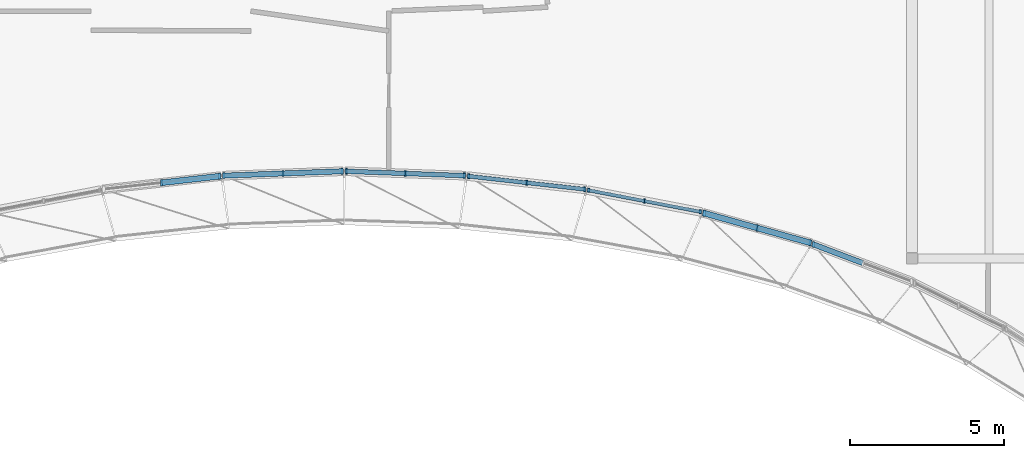
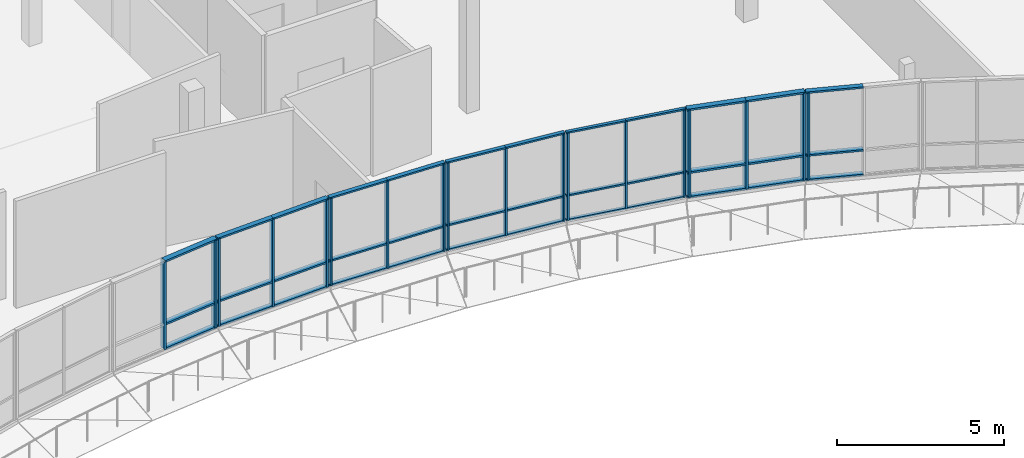
# One storey, part 23 of 73: 54 members, 7 elements without a shape of their own.
"""IFC4 building model written with IfcOpenShell, lengths in metres."""

from ifc_helpers import new_model, si_unit, direction, frame, origin, origin_2d, place, context, subcontext, project, spatial, rectangle, extrude, material, material_profile, profile_set, type_object, element, aggregate, save


model = new_model("IFC4")

# Units and contexts
model_context = context("Model", 3, precision=1e-05, world=origin(), true_north=direction((0.0, 1.0)))
body_context = subcontext(model_context, "Body", "Model", "MODEL_VIEW")
ifc_project = project(units=[si_unit("LENGTHUNIT", "METRE"), si_unit("AREAUNIT", "SQUARE_METRE"), si_unit("VOLUMEUNIT", "CUBIC_METRE"), si_unit("PLANEANGLEUNIT", "RADIAN"), si_unit("MASSUNIT", "GRAM", prefix="KILO")], contexts=[model_context])

# Site, building, storey
site_placement = place(None, origin())
site = spatial("IfcSite", under=ifc_project, at=site_placement, CompositionType="ELEMENT")
building_placement = place(site_placement, origin())
building = spatial("IfcBuilding", under=site, at=building_placement, Name="Mzevani Central Library", CompositionType="ELEMENT")
storey_placement = place(building_placement, frame((0.0, 0.0, 9.60009765625)))
storey = spatial("IfcBuildingStorey", under=building, at=storey_placement, Name="L02", CompositionType="ELEMENT", Elevation=9.60009765625)

# Curtain wall, members
ifc_material_1 = material(Name="Thermally broken aluminium and Low-E triple glazing", Category="aluminium")
curtain_wall_type_1 = type_object("IfcCurtainWallType", Name="Reading Hall Northlight Curtain Wall", PredefinedType="NOTDEFINED", material=ifc_material_1)
curtain_wall_1_placement = place(storey_placement, origin())
curtain_wall_1 = element("IfcCurtainWall", 1, at=curtain_wall_1_placement, inside=storey, type_object=curtain_wall_type_1, Name="L02 Elliptical Court Curtain Wall 10", PredefinedType="NOTDEFINED")
ifc_material_2 = material(Name="Thermally broken aluminium AW-6060", Category="aluminium")
ifc_material_profile_1 = material_profile(ifc_material_2, rectangle(XDim=0.06005859375, YDim=0.139892578125, at=origin_2d()), Name="ALU M60x140")
ifc_profile_set_1 = profile_set([ifc_material_profile_1], Name="Thermally broken aluminium AW-6060")
member_type_1 = type_object("IfcMemberType", Name="CW Mullion 60x140", PredefinedType="MULLION", material=ifc_profile_set_1)
member_1_placement = place(storey_placement, frame((95.54443359375, 91.91552734375, 0.719970703125), z_axis=(0.0, 0.0, 1.0), x_axis=(1.0, 0.0, 0.0)))
member_1 = element("IfcMember", 2, at=member_1_placement, type_object=member_type_1, Name="L02 Elliptical Court Curtain Wall 10 Mullion 1", PredefinedType="MULLION", context=body_context, shape_type="SweptSolid", body=[
    extrude(rectangle(XDim=0.06005859375, YDim=0.139892578125, at=origin_2d()), origin(), (0.0, 0.0, 1.0), 3.199951171875),
])
member_2_placement = place(storey_placement, frame((93.735595703125, 92.263671875, 0.719970703125), z_axis=(0.0, 0.0, 1.0), x_axis=(1.0, 0.0, 0.0)))
member_2 = element("IfcMember", 3, at=member_2_placement, type_object=member_type_1, Name="L02 Elliptical Court Curtain Wall 10 Mullion 2", PredefinedType="MULLION", context=body_context, shape_type="SweptSolid", body=[
    extrude(rectangle(XDim=0.06005859375, YDim=0.139892578125, at=origin_2d()), origin(), (0.0, 0.0, 1.0), 3.199951171875),
])
member_3_placement = place(storey_placement, frame((91.9267578125, 92.612060546875, 0.719970703125), z_axis=(0.0, 0.0, 1.0), x_axis=(1.0, 0.0, 0.0)))
member_3 = element("IfcMember", 4, at=member_3_placement, type_object=member_type_1, Name="L02 Elliptical Court Curtain Wall 10 Mullion 3", PredefinedType="MULLION", context=body_context, shape_type="SweptSolid", body=[
    extrude(rectangle(XDim=0.06005859375, YDim=0.139892578125, at=origin_2d()), origin(), (0.0, 0.0, 1.0), 3.199951171875),
])

curtain_wall_type_2 = type_object("IfcCurtainWallType", Name="Elliptical Court Unitised Curtain Wall", PredefinedType="NOTDEFINED", material=ifc_material_1)
curtain_wall_2_placement = place(storey_placement, origin())
curtain_wall_2 = element("IfcCurtainWall", 5, at=curtain_wall_2_placement, inside=storey, type_object=curtain_wall_type_2, Name="L02 Elliptical Court Curtain Wall 11", PredefinedType="NOTDEFINED")
ifc_material_profile_2 = material_profile(ifc_material_2, rectangle(XDim=0.06005859375, YDim=0.159912109375, at=origin_2d()), Name="ALU M60x160")
ifc_profile_set_2 = profile_set([ifc_material_profile_2], Name="Thermally broken aluminium AW-6060")
member_type_2 = type_object("IfcMemberType", Name="CW Mullion 60x160", PredefinedType="MULLION", material=ifc_profile_set_2)
member_4_placement = place(storey_placement, frame((91.787841796875, 92.645751953125, 0.719970703125), z_axis=(0.0, 0.0, 1.0), x_axis=(1.0, 0.0, 0.0)))
member_4 = element("IfcMember", 6, at=member_4_placement, type_object=member_type_2, Name="L02 Elliptical Court Curtain Wall 11 Mullion 1", PredefinedType="MULLION", context=body_context, shape_type="SweptSolid", body=[
    extrude(rectangle(XDim=0.06005859375, YDim=0.159912109375, at=origin_2d()), origin(), (0.0, 0.0, 1.0), 3.199951171875),
])
member_5_placement = place(storey_placement, frame((89.9130859375, 92.857421875, 0.719970703125), z_axis=(0.0, 0.0, 1.0), x_axis=(1.0, 0.0, 0.0)))
member_5 = element("IfcMember", 7, at=member_5_placement, type_object=member_type_2, Name="L02 Elliptical Court Curtain Wall 11 Mullion 2", PredefinedType="MULLION", context=body_context, shape_type="SweptSolid", body=[
    extrude(rectangle(XDim=0.06005859375, YDim=0.159912109375, at=origin_2d()), origin(), (0.0, 0.0, 1.0), 3.199951171875),
])
member_6_placement = place(storey_placement, frame((88.038330078125, 93.06884765625, 0.719970703125), z_axis=(0.0, 0.0, 1.0), x_axis=(1.0, 0.0, 0.0)))
member_6 = element("IfcMember", 8, at=member_6_placement, type_object=member_type_2, Name="L02 Elliptical Court Curtain Wall 11 Mullion 3", PredefinedType="MULLION", context=body_context, shape_type="SweptSolid", body=[
    extrude(rectangle(XDim=0.06005859375, YDim=0.159912109375, at=origin_2d()), origin(), (0.0, 0.0, 1.0), 3.199951171875),
])

curtain_wall_3_placement = place(storey_placement, origin())
curtain_wall_3 = element("IfcCurtainWall", 9, at=curtain_wall_3_placement, inside=storey, type_object=curtain_wall_type_2, Name="L02 Elliptical Court Curtain Wall 12", PredefinedType="NOTDEFINED")
ifc_material_profile_3 = material_profile(ifc_material_2, rectangle(XDim=0.06005859375, YDim=0.179931640625, at=origin_2d()), Name="ALU M60x180")
ifc_profile_set_3 = profile_set([ifc_material_profile_3], Name="Thermally broken aluminium AW-6060")
member_type_3 = type_object("IfcMemberType", Name="CW Mullion 60x180", PredefinedType="MULLION", material=ifc_profile_set_3)
member_7_placement = place(storey_placement, frame((87.89111328125, 93.087158203125, 0.719970703125), z_axis=(0.0, 0.0, 1.0), x_axis=(1.0, 0.0, 0.0)))
member_7 = element("IfcMember", 10, at=member_7_placement, type_object=member_type_3, Name="L02 Elliptical Court Curtain Wall 12 Mullion 1", PredefinedType="MULLION", context=body_context, shape_type="SweptSolid", body=[
    extrude(rectangle(XDim=0.06005859375, YDim=0.179931640625, at=origin_2d()), origin(), (0.0, 0.0, 1.0), 3.199951171875),
])
member_8_placement = place(storey_placement, frame((85.983154296875, 93.158203125, 0.719970703125), z_axis=(0.0, 0.0, 1.0), x_axis=(1.0, 0.0, 0.0)))
member_8 = element("IfcMember", 11, at=member_8_placement, type_object=member_type_3, Name="L02 Elliptical Court Curtain Wall 12 Mullion 2", PredefinedType="MULLION", context=body_context, shape_type="SweptSolid", body=[
    extrude(rectangle(XDim=0.06005859375, YDim=0.179931640625, at=origin_2d()), origin(), (0.0, 0.0, 1.0), 3.199951171875),
])
member_9_placement = place(storey_placement, frame((84.0751953125, 93.22900390625, 0.719970703125), z_axis=(0.0, 0.0, 1.0), x_axis=(1.0, 0.0, 0.0)))
member_9 = element("IfcMember", 12, at=member_9_placement, type_object=member_type_3, Name="L02 Elliptical Court Curtain Wall 12 Mullion 3", PredefinedType="MULLION", context=body_context, shape_type="SweptSolid", body=[
    extrude(rectangle(XDim=0.06005859375, YDim=0.179931640625, at=origin_2d()), origin(), (0.0, 0.0, 1.0), 3.199951171875),
])

# Curtain wall, member
curtain_wall_4_placement = place(storey_placement, origin())
curtain_wall_4 = element("IfcCurtainWall", 13, at=curtain_wall_4_placement, inside=storey, type_object=curtain_wall_type_2, Name="L02 Elliptical Court Curtain Wall 8", PredefinedType="NOTDEFINED")
ifc_material_profile_4 = material_profile(ifc_material_2, rectangle(XDim=0.06494140625, YDim=0.199951171875, at=origin_2d()), Name="ALU M65x200")
ifc_profile_set_4 = profile_set([ifc_material_profile_4], Name="Thermally broken aluminium AW-6060")
member_type_4 = type_object("IfcMemberType", Name="CW Mullion 65x200", PredefinedType="MULLION", material=ifc_profile_set_4)
member_10_placement = place(storey_placement, frame((99.21435546875, 90.857666015625, 0.719970703125), z_axis=(0.0, 0.0, 1.0), x_axis=(1.0, 0.0, 0.0)))
member_10 = element("IfcMember", 14, at=member_10_placement, type_object=member_type_4, Name="L02 Elliptical Court Curtain Wall 8 Mullion 3", PredefinedType="MULLION", context=body_context, shape_type="SweptSolid", body=[
    extrude(rectangle(XDim=0.06494140625, YDim=0.199951171875, at=origin_2d()), origin(), (0.0, 0.0, 1.0), 3.199951171875),
])

# Curtain wall, members
curtain_wall_5_placement = place(storey_placement, origin())
curtain_wall_5 = element("IfcCurtainWall", 15, at=curtain_wall_5_placement, inside=storey, type_object=curtain_wall_type_1, Name="L02 Elliptical Court Curtain Wall 13", PredefinedType="NOTDEFINED")
member_11_placement = place(storey_placement, frame((83.9248046875, 93.22900390625, 0.719970703125), z_axis=(0.0, 0.0, 1.0), x_axis=(1.0, 0.0, 0.0)))
member_11 = element("IfcMember", 16, at=member_11_placement, type_object=member_type_4, Name="L02 Elliptical Court Curtain Wall 13 Mullion 1", PredefinedType="MULLION", context=body_context, shape_type="SweptSolid", body=[
    extrude(rectangle(XDim=0.06494140625, YDim=0.199951171875, at=origin_2d()), origin(), (0.0, 0.0, 1.0), 3.199951171875),
])
member_12_placement = place(storey_placement, frame((82.016845703125, 93.158203125, 0.719970703125), z_axis=(0.0, 0.0, 1.0), x_axis=(1.0, 0.0, 0.0)))
member_12 = element("IfcMember", 17, at=member_12_placement, type_object=member_type_4, Name="L02 Elliptical Court Curtain Wall 13 Mullion 2", PredefinedType="MULLION", context=body_context, shape_type="SweptSolid", body=[
    extrude(rectangle(XDim=0.06494140625, YDim=0.199951171875, at=origin_2d()), origin(), (0.0, 0.0, 1.0), 3.199951171875),
])
member_13_placement = place(storey_placement, frame((80.10888671875, 93.087158203125, 0.719970703125), z_axis=(0.0, 0.0, 1.0), x_axis=(1.0, 0.0, 0.0)))
member_13 = element("IfcMember", 18, at=member_13_placement, type_object=member_type_4, Name="L02 Elliptical Court Curtain Wall 13 Mullion 3", PredefinedType="MULLION", context=body_context, shape_type="SweptSolid", body=[
    extrude(rectangle(XDim=0.06494140625, YDim=0.199951171875, at=origin_2d()), origin(), (0.0, 0.0, 1.0), 3.199951171875),
])

curtain_wall_6_placement = place(storey_placement, origin())
curtain_wall_6 = element("IfcCurtainWall", 19, at=curtain_wall_6_placement, inside=storey, type_object=curtain_wall_type_2, Name="L02 Elliptical Court Curtain Wall 9", PredefinedType="NOTDEFINED")
ifc_material_profile_5 = material_profile(ifc_material_2, rectangle(XDim=0.070068359375, YDim=0.219970703125, at=origin_2d()), Name="ALU M70x220")
ifc_profile_set_5 = profile_set([ifc_material_profile_5], Name="Thermally broken aluminium AW-6060")
member_type_5 = type_object("IfcMemberType", Name="CW Mullion 70x220", PredefinedType="MULLION", material=ifc_profile_set_5)
member_14_placement = place(storey_placement, frame((99.09619140625, 90.91259765625, 0.719970703125), z_axis=(0.0, 0.0, 1.0), x_axis=(1.0, 0.0, 0.0)))
member_14 = element("IfcMember", 20, at=member_14_placement, type_object=member_type_5, Name="L02 Elliptical Court Curtain Wall 9 Mullion 1", PredefinedType="MULLION", context=body_context, shape_type="SweptSolid", body=[
    extrude(rectangle(XDim=0.070068359375, YDim=0.219970703125, at=origin_2d()), origin(), (0.0, 0.0, 1.0), 3.199951171875),
])
member_15_placement = place(storey_placement, frame((97.384765625, 91.39111328125, 0.719970703125), z_axis=(0.0, 0.0, 1.0), x_axis=(1.0, 0.0, 0.0)))
member_15 = element("IfcMember", 21, at=member_15_placement, type_object=member_type_5, Name="L02 Elliptical Court Curtain Wall 9 Mullion 2", PredefinedType="MULLION", context=body_context, shape_type="SweptSolid", body=[
    extrude(rectangle(XDim=0.070068359375, YDim=0.219970703125, at=origin_2d()), origin(), (0.0, 0.0, 1.0), 3.199951171875),
])
member_16_placement = place(storey_placement, frame((95.673095703125, 91.869873046875, 0.719970703125), z_axis=(0.0, 0.0, 1.0), x_axis=(1.0, 0.0, 0.0)))
member_16 = element("IfcMember", 22, at=member_16_placement, type_object=member_type_5, Name="L02 Elliptical Court Curtain Wall 9 Mullion 3", PredefinedType="MULLION", context=body_context, shape_type="SweptSolid", body=[
    extrude(rectangle(XDim=0.070068359375, YDim=0.219970703125, at=origin_2d()), origin(), (0.0, 0.0, 1.0), 3.199951171875),
])

curtain_wall_7_placement = place(storey_placement, origin())
curtain_wall_7 = element("IfcCurtainWall", 23, at=curtain_wall_7_placement, inside=storey, type_object=curtain_wall_type_2, Name="L02 Elliptical Court Curtain Wall 14", PredefinedType="NOTDEFINED")
member_17_placement = place(storey_placement, frame((79.961669921875, 93.06884765625, 0.719970703125), z_axis=(0.0, 0.0, 1.0), x_axis=(1.0, 0.0, 0.0)))
member_17 = element("IfcMember", 24, at=member_17_placement, type_object=member_type_5, Name="L02 Elliptical Court Curtain Wall 14 Mullion 1", PredefinedType="MULLION", context=body_context, shape_type="SweptSolid", body=[
    extrude(rectangle(XDim=0.070068359375, YDim=0.219970703125, at=origin_2d()), origin(), (0.0, 0.0, 1.0), 3.199951171875),
])
member_18_placement = place(storey_placement, frame((78.0869140625, 92.857421875, 0.719970703125), z_axis=(0.0, 0.0, 1.0), x_axis=(1.0, 0.0, 0.0)))
member_18 = element("IfcMember", 25, at=member_18_placement, type_object=member_type_5, Name="L02 Elliptical Court Curtain Wall 14 Mullion 2", PredefinedType="MULLION", context=body_context, shape_type="SweptSolid", body=[
    extrude(rectangle(XDim=0.070068359375, YDim=0.219970703125, at=origin_2d()), origin(), (0.0, 0.0, 1.0), 3.199951171875),
])

# Member
ifc_material_profile_6 = material_profile(ifc_material_2, rectangle(XDim=0.110107421875, YDim=0.06005859375, at=origin_2d()), Name="ALU T60x110")
ifc_profile_set_6 = profile_set([ifc_material_profile_6], Name="Thermally broken aluminium AW-6060")
member_type_6 = type_object("IfcMemberType", Name="CW Transom 60x110", PredefinedType="USERDEFINED", material=ifc_profile_set_6)
member_19_placement = place(storey_placement, frame((95.593505859375, 91.906005859375, 0.719970703125), z_axis=(-0.981969613273, 0.189038828311, 0.0), x_axis=(-0.189038828311, -0.981969613273, 0.0)))
member_19 = element("IfcMember", 26, at=member_19_placement, type_object=member_type_6, Name="L02 Elliptical Court Curtain Wall 10 Transom 1", ObjectType="TRANSOM", PredefinedType="USERDEFINED", context=body_context, shape_type="SweptSolid", body=[
    extrude(rectangle(XDim=0.110107421875, YDim=0.06005859375, at=origin_2d()), origin(), (0.0, 0.0, 1.0), 1.89208984375),
])

member_20_placement = place(storey_placement, frame((95.593505859375, 91.906005859375, 1.619873046875), z_axis=(-0.981969613273, 0.189038828311, 0.0), x_axis=(-0.189038828311, -0.981969613273, 0.0)))
member_20 = element("IfcMember", 27, at=member_20_placement, type_object=member_type_6, Name="L02 Elliptical Court Curtain Wall 10 Transom 2", ObjectType="TRANSOM", PredefinedType="USERDEFINED", context=body_context, shape_type="SweptSolid", body=[
    extrude(rectangle(XDim=0.110107421875, YDim=0.06005859375, at=origin_2d()), origin(), (0.0, 0.0, 1.0), 1.89208984375),
])

member_21_placement = place(storey_placement, frame((95.593505859375, 91.906005859375, 3.919921875), z_axis=(-0.981969613273, 0.189038828311, 0.0), x_axis=(-0.189038828311, -0.981969613273, 0.0)))
member_21 = element("IfcMember", 28, at=member_21_placement, type_object=member_type_6, Name="L02 Elliptical Court Curtain Wall 10 Transom 3", ObjectType="TRANSOM", PredefinedType="USERDEFINED", context=body_context, shape_type="SweptSolid", body=[
    extrude(rectangle(XDim=0.110107421875, YDim=0.06005859375, at=origin_2d()), origin(), (0.0, 0.0, 1.0), 1.89208984375),
])

member_22_placement = place(storey_placement, frame((93.735595703125, 92.263671875, 0.719970703125), z_axis=(-0.981969613273, 0.189038828311, 0.0), x_axis=(-0.189038828311, -0.981969613273, 0.0)))
member_22 = element("IfcMember", 29, at=member_22_placement, type_object=member_type_6, Name="L02 Elliptical Court Curtain Wall 10 Transom 4", ObjectType="TRANSOM", PredefinedType="USERDEFINED", context=body_context, shape_type="SweptSolid", body=[
    extrude(rectangle(XDim=0.110107421875, YDim=0.06005859375, at=origin_2d()), origin(), (0.0, 0.0, 1.0), 1.89208984375),
])

member_23_placement = place(storey_placement, frame((93.735595703125, 92.263671875, 1.619873046875), z_axis=(-0.981969613273, 0.189038828311, 0.0), x_axis=(-0.189038828311, -0.981969613273, 0.0)))
member_23 = element("IfcMember", 30, at=member_23_placement, type_object=member_type_6, Name="L02 Elliptical Court Curtain Wall 10 Transom 5", ObjectType="TRANSOM", PredefinedType="USERDEFINED", context=body_context, shape_type="SweptSolid", body=[
    extrude(rectangle(XDim=0.110107421875, YDim=0.06005859375, at=origin_2d()), origin(), (0.0, 0.0, 1.0), 1.89208984375),
])

member_24_placement = place(storey_placement, frame((93.735595703125, 92.263671875, 3.919921875), z_axis=(-0.981969613273, 0.189038828311, 0.0), x_axis=(-0.189038828311, -0.981969613273, 0.0)))
member_24 = element("IfcMember", 31, at=member_24_placement, type_object=member_type_6, Name="L02 Elliptical Court Curtain Wall 10 Transom 6", ObjectType="TRANSOM", PredefinedType="USERDEFINED", context=body_context, shape_type="SweptSolid", body=[
    extrude(rectangle(XDim=0.110107421875, YDim=0.06005859375, at=origin_2d()), origin(), (0.0, 0.0, 1.0), 1.89208984375),
])

aggregate(curtain_wall_1, [member_1, member_2, member_3, member_19, member_20, member_21, member_22, member_23, member_24])

ifc_material_profile_7 = material_profile(ifc_material_2, rectangle(XDim=0.1298828125, YDim=0.06005859375, at=origin_2d()), Name="ALU T60x130")
ifc_profile_set_7 = profile_set([ifc_material_profile_7], Name="Thermally broken aluminium AW-6060")
member_type_7 = type_object("IfcMemberType", Name="CW Transom 60x130", PredefinedType="USERDEFINED", material=ifc_profile_set_7)
member_25_placement = place(storey_placement, frame((91.83740234375, 92.64013671875, 0.719970703125), z_axis=(-0.993685364048, 0.11220248338, 0.0), x_axis=(-0.11220248338, -0.993685364048, 0.0)))
member_25 = element("IfcMember", 32, at=member_25_placement, type_object=member_type_7, Name="L02 Elliptical Court Curtain Wall 11 Transom 1", ObjectType="TRANSOM", PredefinedType="USERDEFINED", context=body_context, shape_type="SweptSolid", body=[
    extrude(rectangle(XDim=0.1298828125, YDim=0.06005859375, at=origin_2d()), origin(), (0.0, 0.0, 1.0), 1.9365234375),
])

member_26_placement = place(storey_placement, frame((91.83740234375, 92.64013671875, 1.619873046875), z_axis=(-0.993685364048, 0.11220248338, 0.0), x_axis=(-0.11220248338, -0.993685364048, 0.0)))
member_26 = element("IfcMember", 33, at=member_26_placement, type_object=member_type_7, Name="L02 Elliptical Court Curtain Wall 11 Transom 2", ObjectType="TRANSOM", PredefinedType="USERDEFINED", context=body_context, shape_type="SweptSolid", body=[
    extrude(rectangle(XDim=0.1298828125, YDim=0.06005859375, at=origin_2d()), origin(), (0.0, 0.0, 1.0), 1.9365234375),
])

member_27_placement = place(storey_placement, frame((91.83740234375, 92.64013671875, 3.919921875), z_axis=(-0.993685364048, 0.11220248338, 0.0), x_axis=(-0.11220248338, -0.993685364048, 0.0)))
member_27 = element("IfcMember", 34, at=member_27_placement, type_object=member_type_7, Name="L02 Elliptical Court Curtain Wall 11 Transom 3", ObjectType="TRANSOM", PredefinedType="USERDEFINED", context=body_context, shape_type="SweptSolid", body=[
    extrude(rectangle(XDim=0.1298828125, YDim=0.06005859375, at=origin_2d()), origin(), (0.0, 0.0, 1.0), 1.9365234375),
])

member_28_placement = place(storey_placement, frame((89.9130859375, 92.857421875, 0.719970703125), z_axis=(-0.993700995869, 0.11206395856, 0.0), x_axis=(-0.11206395856, -0.993700995869, 0.0)))
member_28 = element("IfcMember", 35, at=member_28_placement, type_object=member_type_7, Name="L02 Elliptical Court Curtain Wall 11 Transom 4", ObjectType="TRANSOM", PredefinedType="USERDEFINED", context=body_context, shape_type="SweptSolid", body=[
    extrude(rectangle(XDim=0.1298828125, YDim=0.06005859375, at=origin_2d()), origin(), (0.0, 0.0, 1.0), 1.936767578125),
])

member_29_placement = place(storey_placement, frame((89.9130859375, 92.857421875, 1.619873046875), z_axis=(-0.993700995869, 0.11206395856, 0.0), x_axis=(-0.11206395856, -0.993700995869, 0.0)))
member_29 = element("IfcMember", 36, at=member_29_placement, type_object=member_type_7, Name="L02 Elliptical Court Curtain Wall 11 Transom 5", ObjectType="TRANSOM", PredefinedType="USERDEFINED", context=body_context, shape_type="SweptSolid", body=[
    extrude(rectangle(XDim=0.1298828125, YDim=0.06005859375, at=origin_2d()), origin(), (0.0, 0.0, 1.0), 1.936767578125),
])

member_30_placement = place(storey_placement, frame((89.9130859375, 92.857421875, 3.919921875), z_axis=(-0.993700995869, 0.11206395856, 0.0), x_axis=(-0.11206395856, -0.993700995869, 0.0)))
member_30 = element("IfcMember", 37, at=member_30_placement, type_object=member_type_7, Name="L02 Elliptical Court Curtain Wall 11 Transom 6", ObjectType="TRANSOM", PredefinedType="USERDEFINED", context=body_context, shape_type="SweptSolid", body=[
    extrude(rectangle(XDim=0.1298828125, YDim=0.06005859375, at=origin_2d()), origin(), (0.0, 0.0, 1.0), 1.936767578125),
])

aggregate(curtain_wall_2, [member_4, member_5, member_6, member_25, member_26, member_27, member_28, member_29, member_30])

ifc_material_profile_8 = material_profile(ifc_material_2, rectangle(XDim=0.14990234375, YDim=0.06005859375, at=origin_2d()), Name="ALU T60x150")
ifc_profile_set_8 = profile_set([ifc_material_profile_8], Name="Thermally broken aluminium AW-6060")
member_type_8 = type_object("IfcMemberType", Name="CW Transom 60x150", PredefinedType="USERDEFINED", material=ifc_profile_set_8)
member_31_placement = place(storey_placement, frame((87.94091796875, 93.085205078125, 0.719970703125), z_axis=(-0.999305584511, 0.037260552409, 0.0), x_axis=(-0.037260552409, -0.999305584511, 0.0)))
member_31 = element("IfcMember", 38, at=member_31_placement, type_object=member_type_8, Name="L02 Elliptical Court Curtain Wall 12 Transom 1", ObjectType="TRANSOM", PredefinedType="USERDEFINED", context=body_context, shape_type="SweptSolid", body=[
    extrude(rectangle(XDim=0.14990234375, YDim=0.06005859375, at=origin_2d()), origin(), (0.0, 0.0, 1.0), 1.959228515625),
])

member_32_placement = place(storey_placement, frame((87.94091796875, 93.085205078125, 1.619873046875), z_axis=(-0.999305584511, 0.037260552409, 0.0), x_axis=(-0.037260552409, -0.999305584511, 0.0)))
member_32 = element("IfcMember", 39, at=member_32_placement, type_object=member_type_8, Name="L02 Elliptical Court Curtain Wall 12 Transom 2", ObjectType="TRANSOM", PredefinedType="USERDEFINED", context=body_context, shape_type="SweptSolid", body=[
    extrude(rectangle(XDim=0.14990234375, YDim=0.06005859375, at=origin_2d()), origin(), (0.0, 0.0, 1.0), 1.959228515625),
])

member_33_placement = place(storey_placement, frame((87.94091796875, 93.085205078125, 3.919921875), z_axis=(-0.999305584511, 0.037260552409, 0.0), x_axis=(-0.037260552409, -0.999305584511, 0.0)))
member_33 = element("IfcMember", 40, at=member_33_placement, type_object=member_type_8, Name="L02 Elliptical Court Curtain Wall 12 Transom 3", ObjectType="TRANSOM", PredefinedType="USERDEFINED", context=body_context, shape_type="SweptSolid", body=[
    extrude(rectangle(XDim=0.14990234375, YDim=0.06005859375, at=origin_2d()), origin(), (0.0, 0.0, 1.0), 1.959228515625),
])

member_34_placement = place(storey_placement, frame((85.983154296875, 93.158203125, 0.719970703125), z_axis=(-0.999310216866, 0.037136107323, 0.0), x_axis=(-0.037136107323, -0.999310216866, 0.0)))
member_34 = element("IfcMember", 41, at=member_34_placement, type_object=member_type_8, Name="L02 Elliptical Court Curtain Wall 12 Transom 4", ObjectType="TRANSOM", PredefinedType="USERDEFINED", context=body_context, shape_type="SweptSolid", body=[
    extrude(rectangle(XDim=0.14990234375, YDim=0.06005859375, at=origin_2d()), origin(), (0.0, 0.0, 1.0), 1.959228515625),
])

member_35_placement = place(storey_placement, frame((85.983154296875, 93.158203125, 1.619873046875), z_axis=(-0.999310216866, 0.037136107323, 0.0), x_axis=(-0.037136107323, -0.999310216866, 0.0)))
member_35 = element("IfcMember", 42, at=member_35_placement, type_object=member_type_8, Name="L02 Elliptical Court Curtain Wall 12 Transom 5", ObjectType="TRANSOM", PredefinedType="USERDEFINED", context=body_context, shape_type="SweptSolid", body=[
    extrude(rectangle(XDim=0.14990234375, YDim=0.06005859375, at=origin_2d()), origin(), (0.0, 0.0, 1.0), 1.959228515625),
])

member_36_placement = place(storey_placement, frame((85.983154296875, 93.158203125, 3.919921875), z_axis=(-0.999310216866, 0.037136107323, 0.0), x_axis=(-0.037136107323, -0.999310216866, 0.0)))
member_36 = element("IfcMember", 43, at=member_36_placement, type_object=member_type_8, Name="L02 Elliptical Court Curtain Wall 12 Transom 6", ObjectType="TRANSOM", PredefinedType="USERDEFINED", context=body_context, shape_type="SweptSolid", body=[
    extrude(rectangle(XDim=0.14990234375, YDim=0.06005859375, at=origin_2d()), origin(), (0.0, 0.0, 1.0), 1.959228515625),
])

aggregate(curtain_wall_3, [member_7, member_8, member_9, member_31, member_32, member_33, member_34, member_35, member_36])

ifc_material_profile_9 = material_profile(ifc_material_2, rectangle(XDim=0.169921875, YDim=0.06494140625, at=origin_2d()), Name="ALU T65x170")
ifc_profile_set_9 = profile_set([ifc_material_profile_9], Name="Thermally broken aluminium AW-6060")
member_type_9 = type_object("IfcMemberType", Name="CW Transom 65x170", PredefinedType="USERDEFINED", material=ifc_profile_set_9)
member_37_placement = place(storey_placement, frame((100.799072265625, 90.25732421875, 0.719970703125), z_axis=(-0.93511588963, 0.354342028217, 0.0), x_axis=(-0.354342028217, -0.93511588963, 0.0)))
member_37 = element("IfcMember", 44, at=member_37_placement, type_object=member_type_9, Name="L02 Elliptical Court Curtain Wall 8 Transom 4", ObjectType="TRANSOM", PredefinedType="USERDEFINED", context=body_context, shape_type="SweptSolid", body=[
    extrude(rectangle(XDim=0.169921875, YDim=0.06494140625, at=origin_2d()), origin(), (0.0, 0.0, 1.0), 1.74462890625),
])

member_38_placement = place(storey_placement, frame((100.799072265625, 90.25732421875, 1.619873046875), z_axis=(-0.93511588963, 0.354342028217, 0.0), x_axis=(-0.354342028217, -0.93511588963, 0.0)))
member_38 = element("IfcMember", 45, at=member_38_placement, type_object=member_type_9, Name="L02 Elliptical Court Curtain Wall 8 Transom 5", ObjectType="TRANSOM", PredefinedType="USERDEFINED", context=body_context, shape_type="SweptSolid", body=[
    extrude(rectangle(XDim=0.169921875, YDim=0.06494140625, at=origin_2d()), origin(), (0.0, 0.0, 1.0), 1.74462890625),
])

member_39_placement = place(storey_placement, frame((100.799072265625, 90.25732421875, 3.919921875), z_axis=(-0.93511588963, 0.354342028217, 0.0), x_axis=(-0.354342028217, -0.93511588963, 0.0)))
member_39 = element("IfcMember", 46, at=member_39_placement, type_object=member_type_9, Name="L02 Elliptical Court Curtain Wall 8 Transom 6", ObjectType="TRANSOM", PredefinedType="USERDEFINED", context=body_context, shape_type="SweptSolid", body=[
    extrude(rectangle(XDim=0.169921875, YDim=0.06494140625, at=origin_2d()), origin(), (0.0, 0.0, 1.0), 1.74462890625),
])

aggregate(curtain_wall_4, [member_10, member_37, member_38, member_39])

member_40_placement = place(storey_placement, frame((83.974609375, 93.23095703125, 0.719970703125), z_axis=(-0.999310216866, -0.037136107323, 0.0), x_axis=(0.037136107323, -0.999310216866, 0.0)))
member_40 = element("IfcMember", 47, at=member_40_placement, type_object=member_type_9, Name="L02 Elliptical Court Curtain Wall 13 Transom 1", ObjectType="TRANSOM", PredefinedType="USERDEFINED", context=body_context, shape_type="SweptSolid", body=[
    extrude(rectangle(XDim=0.169921875, YDim=0.06494140625, at=origin_2d()), origin(), (0.0, 0.0, 1.0), 1.959228515625),
])

member_41_placement = place(storey_placement, frame((83.974609375, 93.23095703125, 1.619873046875), z_axis=(-0.999310216866, -0.037136107323, 0.0), x_axis=(0.037136107323, -0.999310216866, 0.0)))
member_41 = element("IfcMember", 48, at=member_41_placement, type_object=member_type_9, Name="L02 Elliptical Court Curtain Wall 13 Transom 2", ObjectType="TRANSOM", PredefinedType="USERDEFINED", context=body_context, shape_type="SweptSolid", body=[
    extrude(rectangle(XDim=0.169921875, YDim=0.06494140625, at=origin_2d()), origin(), (0.0, 0.0, 1.0), 1.959228515625),
])

member_42_placement = place(storey_placement, frame((83.974609375, 93.23095703125, 3.919921875), z_axis=(-0.999310216866, -0.037136107323, 0.0), x_axis=(0.037136107323, -0.999310216866, 0.0)))
member_42 = element("IfcMember", 49, at=member_42_placement, type_object=member_type_9, Name="L02 Elliptical Court Curtain Wall 13 Transom 3", ObjectType="TRANSOM", PredefinedType="USERDEFINED", context=body_context, shape_type="SweptSolid", body=[
    extrude(rectangle(XDim=0.169921875, YDim=0.06494140625, at=origin_2d()), origin(), (0.0, 0.0, 1.0), 1.959228515625),
])

member_43_placement = place(storey_placement, frame((82.016845703125, 93.158203125, 0.719970703125), z_axis=(-0.999305584511, -0.037260552409, 0.0), x_axis=(0.037260552409, -0.999305584511, 0.0)))
member_43 = element("IfcMember", 50, at=member_43_placement, type_object=member_type_9, Name="L02 Elliptical Court Curtain Wall 13 Transom 4", ObjectType="TRANSOM", PredefinedType="USERDEFINED", context=body_context, shape_type="SweptSolid", body=[
    extrude(rectangle(XDim=0.169921875, YDim=0.06494140625, at=origin_2d()), origin(), (0.0, 0.0, 1.0), 1.959228515625),
])

member_44_placement = place(storey_placement, frame((82.016845703125, 93.158203125, 1.619873046875), z_axis=(-0.999305584511, -0.037260552409, 0.0), x_axis=(0.037260552409, -0.999305584511, 0.0)))
member_44 = element("IfcMember", 51, at=member_44_placement, type_object=member_type_9, Name="L02 Elliptical Court Curtain Wall 13 Transom 5", ObjectType="TRANSOM", PredefinedType="USERDEFINED", context=body_context, shape_type="SweptSolid", body=[
    extrude(rectangle(XDim=0.169921875, YDim=0.06494140625, at=origin_2d()), origin(), (0.0, 0.0, 1.0), 1.959228515625),
])

member_45_placement = place(storey_placement, frame((82.016845703125, 93.158203125, 3.919921875), z_axis=(-0.999305584511, -0.037260552409, 0.0), x_axis=(0.037260552409, -0.999305584511, 0.0)))
member_45 = element("IfcMember", 52, at=member_45_placement, type_object=member_type_9, Name="L02 Elliptical Court Curtain Wall 13 Transom 6", ObjectType="TRANSOM", PredefinedType="USERDEFINED", context=body_context, shape_type="SweptSolid", body=[
    extrude(rectangle(XDim=0.169921875, YDim=0.06494140625, at=origin_2d()), origin(), (0.0, 0.0, 1.0), 1.959228515625),
])

aggregate(curtain_wall_5, [member_11, member_12, member_13, member_40, member_41, member_42, member_43, member_44, member_45])

ifc_material_profile_10 = material_profile(ifc_material_2, rectangle(XDim=0.18994140625, YDim=0.070068359375, at=origin_2d()), Name="ALU T70x190")
ifc_profile_set_10 = profile_set([ifc_material_profile_10], Name="Thermally broken aluminium AW-6060")
member_type_10 = type_object("IfcMemberType", Name="CW Transom 70x190", PredefinedType="USERDEFINED", material=ifc_profile_set_10)
member_46_placement = place(storey_placement, frame((99.144287109375, 90.899169921875, 0.719970703125), z_axis=(-0.963066650154, 0.269263119198, 0.0), x_axis=(-0.269263119198, -0.963066650154, 0.0)))
member_46 = element("IfcMember", 53, at=member_46_placement, type_object=member_type_10, Name="L02 Elliptical Court Curtain Wall 9 Transom 1", ObjectType="TRANSOM", PredefinedType="USERDEFINED", context=body_context, shape_type="SweptSolid", body=[
    extrude(rectangle(XDim=0.18994140625, YDim=0.070068359375, at=origin_2d()), origin(), (0.0, 0.0, 1.0), 1.826904296875),
])

member_47_placement = place(storey_placement, frame((99.144287109375, 90.899169921875, 1.619873046875), z_axis=(-0.963066650154, 0.269263119198, 0.0), x_axis=(-0.269263119198, -0.963066650154, 0.0)))
member_47 = element("IfcMember", 54, at=member_47_placement, type_object=member_type_10, Name="L02 Elliptical Court Curtain Wall 9 Transom 2", ObjectType="TRANSOM", PredefinedType="USERDEFINED", context=body_context, shape_type="SweptSolid", body=[
    extrude(rectangle(XDim=0.18994140625, YDim=0.070068359375, at=origin_2d()), origin(), (0.0, 0.0, 1.0), 1.826904296875),
])

member_48_placement = place(storey_placement, frame((99.144287109375, 90.899169921875, 3.919921875), z_axis=(-0.963066650154, 0.269263119198, 0.0), x_axis=(-0.269263119198, -0.963066650154, 0.0)))
member_48 = element("IfcMember", 55, at=member_48_placement, type_object=member_type_10, Name="L02 Elliptical Court Curtain Wall 9 Transom 3", ObjectType="TRANSOM", PredefinedType="USERDEFINED", context=body_context, shape_type="SweptSolid", body=[
    extrude(rectangle(XDim=0.18994140625, YDim=0.070068359375, at=origin_2d()), origin(), (0.0, 0.0, 1.0), 1.826904296875),
])

member_49_placement = place(storey_placement, frame((97.384765625, 91.39111328125, 0.719970703125), z_axis=(-0.963041686068, 0.269352391664, 0.0), x_axis=(-0.269352391664, -0.963041686068, 0.0)))
member_49 = element("IfcMember", 56, at=member_49_placement, type_object=member_type_10, Name="L02 Elliptical Court Curtain Wall 9 Transom 4", ObjectType="TRANSOM", PredefinedType="USERDEFINED", context=body_context, shape_type="SweptSolid", body=[
    extrude(rectangle(XDim=0.18994140625, YDim=0.070068359375, at=origin_2d()), origin(), (0.0, 0.0, 1.0), 1.827392578125),
])

member_50_placement = place(storey_placement, frame((97.384765625, 91.39111328125, 1.619873046875), z_axis=(-0.963041686068, 0.269352391664, 0.0), x_axis=(-0.269352391664, -0.963041686068, 0.0)))
member_50 = element("IfcMember", 57, at=member_50_placement, type_object=member_type_10, Name="L02 Elliptical Court Curtain Wall 9 Transom 5", ObjectType="TRANSOM", PredefinedType="USERDEFINED", context=body_context, shape_type="SweptSolid", body=[
    extrude(rectangle(XDim=0.18994140625, YDim=0.070068359375, at=origin_2d()), origin(), (0.0, 0.0, 1.0), 1.827392578125),
])

member_51_placement = place(storey_placement, frame((97.384765625, 91.39111328125, 3.919921875), z_axis=(-0.963041686068, 0.269352391664, 0.0), x_axis=(-0.269352391664, -0.963041686068, 0.0)))
member_51 = element("IfcMember", 58, at=member_51_placement, type_object=member_type_10, Name="L02 Elliptical Court Curtain Wall 9 Transom 6", ObjectType="TRANSOM", PredefinedType="USERDEFINED", context=body_context, shape_type="SweptSolid", body=[
    extrude(rectangle(XDim=0.18994140625, YDim=0.070068359375, at=origin_2d()), origin(), (0.0, 0.0, 1.0), 1.827392578125),
])

aggregate(curtain_wall_6, [member_14, member_15, member_16, member_46, member_47, member_48, member_49, member_50, member_51])

member_52_placement = place(storey_placement, frame((80.011474609375, 93.074462890625, 0.719970703125), z_axis=(-0.993700995869, -0.11206395856, 0.0), x_axis=(0.11206395856, -0.993700995869, 0.0)))
member_52 = element("IfcMember", 59, at=member_52_placement, type_object=member_type_10, Name="L02 Elliptical Court Curtain Wall 14 Transom 1", ObjectType="TRANSOM", PredefinedType="USERDEFINED", context=body_context, shape_type="SweptSolid", body=[
    extrude(rectangle(XDim=0.18994140625, YDim=0.070068359375, at=origin_2d()), origin(), (0.0, 0.0, 1.0), 1.936767578125),
])

member_53_placement = place(storey_placement, frame((80.011474609375, 93.074462890625, 1.619873046875), z_axis=(-0.993700995869, -0.11206395856, 0.0), x_axis=(0.11206395856, -0.993700995869, 0.0)))
member_53 = element("IfcMember", 60, at=member_53_placement, type_object=member_type_10, Name="L02 Elliptical Court Curtain Wall 14 Transom 2", ObjectType="TRANSOM", PredefinedType="USERDEFINED", context=body_context, shape_type="SweptSolid", body=[
    extrude(rectangle(XDim=0.18994140625, YDim=0.070068359375, at=origin_2d()), origin(), (0.0, 0.0, 1.0), 1.936767578125),
])

member_54_placement = place(storey_placement, frame((80.011474609375, 93.074462890625, 3.919921875), z_axis=(-0.993700995869, -0.11206395856, 0.0), x_axis=(0.11206395856, -0.993700995869, 0.0)))
member_54 = element("IfcMember", 61, at=member_54_placement, type_object=member_type_10, Name="L02 Elliptical Court Curtain Wall 14 Transom 3", ObjectType="TRANSOM", PredefinedType="USERDEFINED", context=body_context, shape_type="SweptSolid", body=[
    extrude(rectangle(XDim=0.18994140625, YDim=0.070068359375, at=origin_2d()), origin(), (0.0, 0.0, 1.0), 1.936767578125),
])

aggregate(curtain_wall_7, [member_17, member_18, member_52, member_53, member_54])

save(model, "model.ifc")
